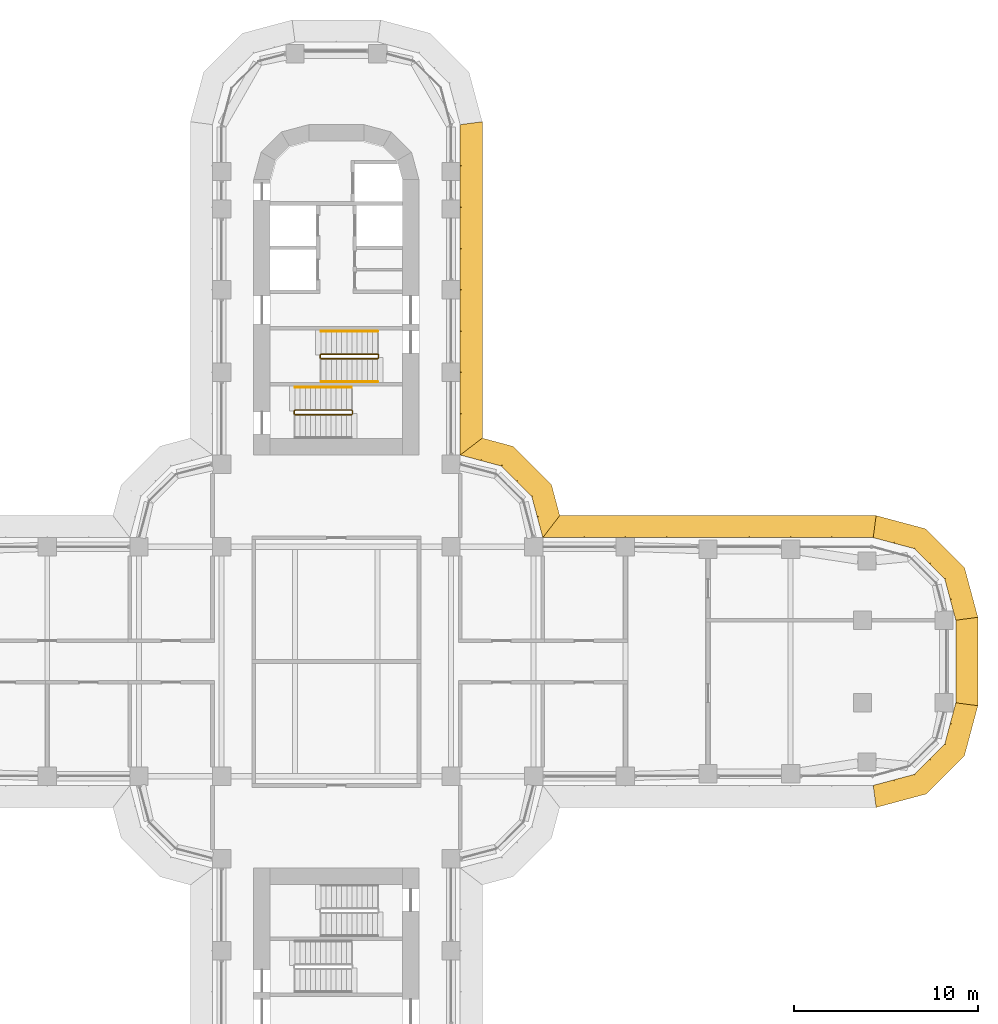
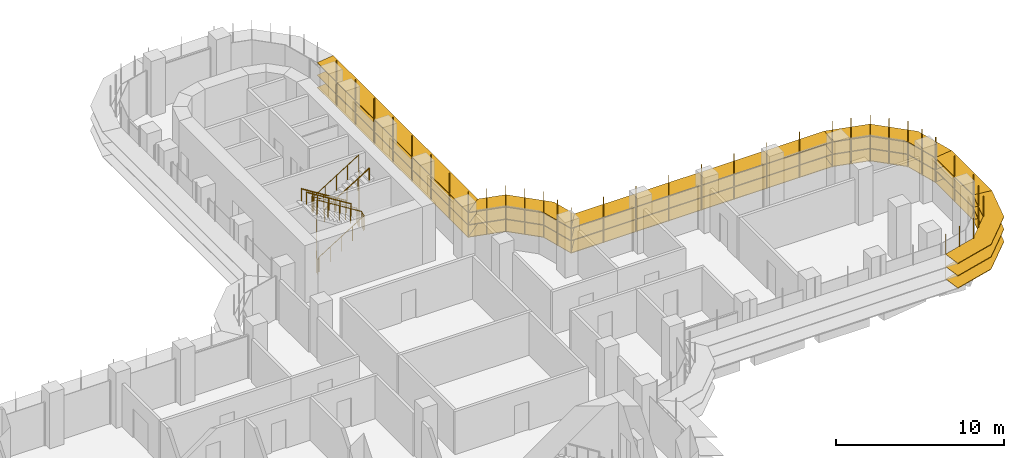
# One storey, part 22 of 23: 6 shading devices, 5 railings.
"""IFC4 building model written with IfcOpenShell, lengths in metres."""

import ifcopenshell
import ifcopenshell.guid

model = None  # the IFC model being written
_history = None  # IfcOwnerHistory: only IFC2X3 demands one
_inside = {}  # id of a spatial element -> (the spatial element, [elements in it])
_under = {}  # id of a project, library or spatial element -> (it, [spatial elements below it])
_declared = {}  # id of a project -> (the project, [libraries it declares])
_typed = {}  # id of a type object -> (the type object, [elements of that type])
_made_of = {}  # id of a material, layer set ... -> (it, [elements and type objects made of it])


def new_model(schema):
    """Start an empty IFC model of exactly this schema.

    Asked for "IFC4X3", IfcOpenShell would pick the latest addendum, in which some entities
    have other attributes; the version numbers below select the first issue.
    IFC2X3 requires an IfcOwnerHistory on every rooted entity: one is made here for all.
    """
    global model, _history
    if schema == "IFC4X3":
        model = ifcopenshell.file(schema_version=(4, 3, 0, 0))
    else:
        model = ifcopenshell.file(schema=schema)
    _inside.clear()
    _under.clear()
    _declared.clear()
    _typed.clear()
    _made_of.clear()
    _history = None
    if model.schema == "IFC2X3":
        org = make("IfcOrganization", Name="unknown")
        user = make(
            "IfcPersonAndOrganization",
            ThePerson=make("IfcPerson", FamilyName="unknown"),
            TheOrganization=org,
        )
        app = make(
            "IfcApplication",
            ApplicationDeveloper=org,
            Version="unknown",
            ApplicationFullName="unknown",
            ApplicationIdentifier="unknown",
        )
        _history = make(
            "IfcOwnerHistory",
            OwningUser=user,
            OwningApplication=app,
            ChangeAction="ADDED",
            CreationDate=0,
        )
    return model


def make(cls, **values):
    """One entity of the class cls with the attributes given. An attribute that is None is left unset."""
    return model.create_entity(
        cls, **{name: value for name, value in values.items() if value is not None}
    )


def rooted(cls, **values):
    """An entity with a GlobalId (a new one), such as an element, a storey or a relation."""
    return make(cls, GlobalId=ifcopenshell.guid.new(), OwnerHistory=_history, **values)


def si_unit(unit_type, name, prefix=None):
    """IfcSIUnit, for example si_unit("LENGTHUNIT", "METRE", prefix="MILLI")."""
    return make("IfcSIUnit", UnitType=unit_type, Prefix=prefix, Name=name)


def assignment(units):
    """IfcUnitAssignment: the units of a project."""
    return None if units is None else make("IfcUnitAssignment", Units=units)


def point(xyz):
    """IfcCartesianPoint."""
    return None if xyz is None else make("IfcCartesianPoint", Coordinates=xyz)


def direction(xyz):
    """IfcDirection."""
    return None if xyz is None else make("IfcDirection", DirectionRatios=xyz)


def frame(location, z_axis=None, x_axis=None):
    """IfcAxis2Placement3D, a coordinate frame: its origin and axes. An axis left out is left unset."""
    return make(
        "IfcAxis2Placement3D",
        Location=point(location),
        Axis=direction(z_axis),
        RefDirection=direction(x_axis),
    )


def frame_2d(location, x_axis=None):
    """IfcAxis2Placement2D, a coordinate frame in the plane: its origin and x axis."""
    return make(
        "IfcAxis2Placement2D", Location=point(location), RefDirection=direction(x_axis)
    )


def origin():
    """The frame at (0, 0, 0) with its axes left unset."""
    return frame((0.0, 0.0, 0.0))


def origin_2d():
    """The frame at (0, 0) in the plane with its x axis left unset."""
    return frame_2d((0.0, 0.0))


def place(relative_to, where):
    """IfcLocalPlacement: puts the frame where relative to a parent placement (None: the world)."""
    return make(
        "IfcLocalPlacement", PlacementRelTo=relative_to, RelativePlacement=where
    )


def context(
    kind, dimensions, precision=None, world=None, true_north=None, identifier=None
):
    """IfcGeometricRepresentationContext, for example the 3D "Model" context."""
    return make(
        "IfcGeometricRepresentationContext",
        ContextIdentifier=identifier,
        ContextType=kind,
        CoordinateSpaceDimension=dimensions,
        Precision=precision,
        WorldCoordinateSystem=world,
        TrueNorth=true_north,
    )


def subcontext(parent, identifier, kind, view, scale=None):
    """IfcGeometricRepresentationSubContext, for example "Body" below "Model"."""
    return make(
        "IfcGeometricRepresentationSubContext",
        ContextIdentifier=identifier,
        ContextType=kind,
        ParentContext=parent,
        TargetScale=scale,
        TargetView=view,
    )


def project(units=None, contexts=None):
    """IfcProject with its units and contexts."""
    return rooted(
        "IfcProject",
        Name="project",
        RepresentationContexts=contexts,
        UnitsInContext=assignment(units),
    )


def spatial(cls, under=None, at=None, **own):
    """A site, building, storey or space (cls), placed at a placement, below another one or the project."""
    s = rooted(cls, ObjectPlacement=at, **own)
    if under is not None:
        _under.setdefault(under.id(), (under, []))[1].append(s)
    return s


def polyline(points):
    """IfcPolyline through the points."""
    return make("IfcPolyline", Points=[point(p) for p in points])


def profile(cls, at=None, kind="AREA", **sizes):
    """A parametric profile (cls). Its sizes go by their IFC names, for example OverallWidth=200.0."""
    return make(cls, ProfileType=kind, Position=at, **sizes)


def circle(**sizes):
    """IfcCircleProfileDef."""
    return profile("IfcCircleProfileDef", **sizes)


def outline(outer, holes=None, kind="AREA"):
    """IfcArbitraryClosedProfileDef: a profile drawn as a closed curve; with holes, ...WithVoids."""
    if holes is None:
        return make("IfcArbitraryClosedProfileDef", ProfileType=kind, OuterCurve=outer)
    return make(
        "IfcArbitraryProfileDefWithVoids",
        ProfileType=kind,
        OuterCurve=outer,
        InnerCurves=holes,
    )


def extrude(swept, where, along, depth):
    """IfcExtrudedAreaSolid: the profile swept, set in the frame where, extruded along a direction by depth."""
    return make(
        "IfcExtrudedAreaSolid",
        SweptArea=swept,
        Position=where,
        ExtrudedDirection=direction(along),
        Depth=depth,
    )


def faces_of(points, faces, orient=None, outer=None):
    """IfcFace entities. A face is a list of loops; a loop is a list of indices into points, from 0.

    orient and outer hold one flag for each loop. By default every Orientation is true, the
    first loop of a face is its IfcFaceOuterBound and the others are IfcFaceBound.
    """
    made = []
    for i, loops in enumerate(faces):
        bounds = []
        for j, loop in enumerate(loops):
            is_outer = j == 0 if outer is None else outer[i][j]
            bounds.append(
                make(
                    "IfcFaceOuterBound" if is_outer else "IfcFaceBound",
                    Bound=make("IfcPolyLoop", Polygon=[points[k] for k in loop]),
                    Orientation=True if orient is None else orient[i][j],
                )
            )
        made.append(make("IfcFace", Bounds=bounds))
    return made


def faceted_brep(points, faces, orient=None, outer=None, voids=None):
    """IfcFacetedBrep: a solid bounded by flat faces; with voids (closed shells), ...WithVoids."""
    shared = [point(p) for p in points]
    hull = make("IfcClosedShell", CfsFaces=faces_of(shared, faces, orient, outer))
    if voids is None:
        return make("IfcFacetedBrep", Outer=hull)
    return make(
        "IfcFacetedBrepWithVoids",
        Outer=hull,
        Voids=[
            make(cls, CfsFaces=faces_of(shared, fs, o, b)) for cls, fs, o, b in voids
        ],
    )


def shape(context_of_items, identifier, shape_type, items):
    """IfcShapeRepresentation: the items that make up one representation, for example the "Body"."""
    return make(
        "IfcShapeRepresentation",
        ContextOfItems=context_of_items,
        RepresentationIdentifier=identifier,
        RepresentationType=shape_type,
        Items=items,
    )


def source(mapping_origin, context_of_items, identifier, shape_type, items):
    """IfcRepresentationMap: a shape defined once, which mapped items show again and again."""
    return make(
        "IfcRepresentationMap",
        MappingOrigin=mapping_origin,
        MappedRepresentation=shape(context_of_items, identifier, shape_type, items),
    )


def transform(
    local_origin,
    x_axis=None,
    y_axis=None,
    z_axis=None,
    scale=None,
    scale2=None,
    scale3=None,
    uniform=True,
):
    """IfcCartesianTransformationOperator3D, or its non-uniform kind. x_axis, y_axis, z_axis: its Axis1, 2, 3."""
    if uniform:
        return make(
            "IfcCartesianTransformationOperator3D",
            Axis1=direction(x_axis),
            Axis2=direction(y_axis),
            LocalOrigin=point(local_origin),
            Scale=scale,
            Axis3=direction(z_axis),
        )
    return make(
        "IfcCartesianTransformationOperator3DnonUniform",
        Axis1=direction(x_axis),
        Axis2=direction(y_axis),
        LocalOrigin=point(local_origin),
        Scale=scale,
        Axis3=direction(z_axis),
        Scale2=scale2,
        Scale3=scale3,
    )


def mapped(mapping_source, mapping_target):
    """IfcMappedItem: shows the shape of a source again, moved by a transform."""
    return make(
        "IfcMappedItem", MappingSource=mapping_source, MappingTarget=mapping_target
    )


def material(Name=None, Category=None):
    """IfcMaterial."""
    return make("IfcMaterial", Name=Name, Category=Category)


def made_of(thing, what):
    """Note that an element or type object is made of a material, layer set ...; save() writes the relation."""
    if what is not None:
        _made_of.setdefault(what.id(), (what, []))[1].append(thing)
    return thing


def type_object(cls, material=None, **own):
    """A type object (cls), such as IfcWallType, which elements share."""
    return made_of(rooted(cls, **own), material)


def element(
    cls,
    number,
    at=None,
    inside=None,
    cuts=None,
    type_object=None,
    material=None,
    context=None,
    identifier="Body",
    shape_type=None,
    held_by="IfcProductDefinitionShape",
    body=None,
    shapes=None,
    **own,
):
    """One element of the class cls, such as IfcWall. Its Tag is "e" and its number.

    at: its placement. inside: the storey or other place that contains it. cuts: it is an
    opening in that element (IfcRelVoidsElement). A single representation is given by context,
    identifier, shape_type and body (its items); several are given by shapes. held_by: the class
    of the entity that holds the representations. save() writes the other relations.
    """
    e = rooted(cls, Tag="e%d" % number, ObjectPlacement=at, **own)
    if body is not None:
        shapes = [shape(context, identifier, shape_type, body)]
    if shapes is not None:
        e.Representation = make(held_by, Representations=shapes)
    if inside is not None:
        _inside.setdefault(inside.id(), (inside, []))[1].append(e)
    if cuts is not None:
        rooted(
            "IfcRelVoidsElement", RelatingBuildingElement=cuts, RelatedOpeningElement=e
        )
    if type_object is not None:
        _typed.setdefault(type_object.id(), (type_object, []))[1].append(e)
    return made_of(e, material)


def aggregate(whole, parts):
    """IfcRelAggregates: a whole, such as a stair, and the parts it consists of."""
    return rooted("IfcRelAggregates", RelatingObject=whole, RelatedObjects=parts)


def save(model, path):
    """Write the relations noted so far, then the file.

    IfcRelAggregates (storeys below a building ...), IfcRelContainedInSpatialStructure (elements
    in a storey), IfcRelDefinesByType, IfcRelAssociatesMaterial and IfcRelDeclares: one each for
    every whole, place, type object, material and project.
    """
    for whole, parts in _under.values():
        aggregate(whole, parts)
    for where, things in _inside.values():
        rooted(
            "IfcRelContainedInSpatialStructure",
            RelatedElements=things,
            RelatingStructure=where,
        )
    for kind, things in _typed.values():
        rooted("IfcRelDefinesByType", RelatedObjects=things, RelatingType=kind)
    for what, things in _made_of.values():
        rooted("IfcRelAssociatesMaterial", RelatedObjects=things, RelatingMaterial=what)
    for by, libraries in _declared.values():
        rooted("IfcRelDeclares", RelatingContext=by, RelatedDefinitions=libraries)
    model.write(path)


model = new_model("IFC4")

# Units and contexts
model_context = context("Model", 3, precision=1e-05, world=origin(), true_north=direction((0.0, 1.0)))
body_context = subcontext(model_context, "Body", "Model", "MODEL_VIEW")
ifc_project = project(units=[si_unit("LENGTHUNIT", "METRE"), si_unit("AREAUNIT", "SQUARE_METRE"), si_unit("VOLUMEUNIT", "CUBIC_METRE"), si_unit("PLANEANGLEUNIT", "RADIAN"), si_unit("MASSUNIT", "GRAM", prefix="KILO")], contexts=[model_context])

# Site, building, storey
site_placement = place(None, origin())
site = spatial("IfcSite", under=ifc_project, at=site_placement, CompositionType="ELEMENT")
building_placement = place(site_placement, origin())
building = spatial("IfcBuilding", under=site, at=building_placement, Name="Zarbagh Exchange Tower", CompositionType="ELEMENT")
storey_placement = place(building_placement, frame((0.0, 0.0, 52.199951171875)))
storey = spatial("IfcBuildingStorey", under=building, at=storey_placement, Name="L11", CompositionType="ELEMENT", Elevation=52.199951171875)

# Railings
ifc_material_1 = material(Name="Stainless steel", Category="steel")
railing_type_1 = type_object("IfcRailingType", Name="Stair guard 1100 mm", PredefinedType="GUARDRAIL", material=ifc_material_1)
railing_1_placement = place(storey_placement, frame((-0.830078125, 16.5, 2.275146484375)))
element("IfcRailing", 1, at=railing_1_placement, inside=storey, type_object=railing_type_1, Name="ST1 stair guard 1", PredefinedType="GUARDRAIL", context=body_context, shape_type="SweptSolid", body=[
    extrude(circle(Radius=0.02392578125, at=origin_2d()), frame((0.0, 0.0, 1.076171875), z_axis=(0.848028513186, 0.0, 0.529950602248), x_axis=(0.0, 1.0, 0.0)), (0.0, 0.0, 1.0), 3.632080078125),
    extrude(circle(Radius=0.02392578125, at=origin_2d()), frame((3.080078125, 0.0, 3.0009765625), z_axis=(0.011914834358, 0.011914834358, -0.999858026644), x_axis=(-0.707106781187, 0.707106781187, 0.0)), (0.0, 0.0, 1.0), 4.200439453125),
    extrude(circle(Radius=0.02392578125, at=origin_2d()), frame((3.130126953125, 0.050048828125, -1.19921875), z_axis=(0.0, 1.0, 0.0), x_axis=(-1.0, 0.0, 0.0)), (0.0, 0.0, 1.0), 0.14990234375),
    extrude(circle(Radius=0.02392578125, at=origin_2d()), frame((3.130126953125, 0.199951171875, -1.19921875), z_axis=(-0.265065253269, 0.265065253269, 0.927081885822), x_axis=(-0.707106781187, -0.707106781187, 0.0)), (0.0, 0.0, 1.0), 0.188720703125),
    extrude(circle(Radius=0.02392578125, at=origin_2d()), frame((3.080078125, 0.25, -1.02392578125), z_axis=(-0.847998304005, 0.0, 0.529998940003), x_axis=(0.0, -1.0, 0.0)), (0.0, 0.0, 1.0), 3.632080078125),
    extrude(circle(Radius=0.02392578125, at=origin_2d()), frame((0.0, 0.25, 0.90087890625), z_axis=(-0.705375805398, -0.708833529934, 0.0), x_axis=(0.708833529934, -0.705375805398, 0.0)), (0.0, 0.0, 1.0), 0.070556640625),
    extrude(circle(Radius=0.02392578125, at=origin_2d()), frame((-0.0498046875, 0.199951171875, 0.90087890625), z_axis=(0.0, -1.0, 0.0), x_axis=(1.0, 0.0, 0.0)), (0.0, 0.0, 1.0), 0.14990234375),
    extrude(circle(Radius=0.02099609375, at=origin_2d()), origin(), (0.0, 0.0, 1.0), 1.052001953125),
    extrude(circle(Radius=0.02099609375, at=origin_2d()), frame((0.77001953125, 0.0, 0.481201171875)), (0.0, 0.0, 1.0), 1.052001953125),
    extrude(circle(Radius=0.02099609375, at=origin_2d()), frame((1.5400390625, 0.0, 0.96240234375)), (0.0, 0.0, 1.0), 1.052001953125),
    extrude(circle(Radius=0.02099609375, at=origin_2d()), frame((2.31005859375, 0.0, 1.443603515625)), (0.0, 0.0, 1.0), 1.052001953125),
    extrude(circle(Radius=0.02099609375, at=origin_2d()), frame((3.080078125, 0.0, 1.9248046875)), (0.0, 0.0, 1.0), 1.052001953125),
    extrude(circle(Radius=0.02099609375, at=origin_2d()), frame((3.092529296875, 0.012451171875, 0.874755859375)), (0.0, 0.0, 1.0), 1.052001953125),
    extrude(circle(Radius=0.02099609375, at=origin_2d()), frame((3.10498046875, 0.02490234375, -0.17529296875)), (0.0, 0.0, 1.0), 1.052001953125),
    extrude(circle(Radius=0.02099609375, at=origin_2d()), frame((3.11767578125, 0.03759765625, -1.22509765625)), (0.0, 0.0, 1.0), 1.052001953125),
    extrude(circle(Radius=0.02099609375, at=origin_2d()), frame((3.130126953125, 0.050048828125, -2.275146484375)), (0.0, 0.0, 1.0), 1.052001953125),
    extrude(circle(Radius=0.02099609375, at=origin_2d()), frame((3.130126953125, 0.199951171875, -2.275146484375)), (0.0, 0.0, 1.0), 1.052001953125),
    extrude(circle(Radius=0.02099609375, at=origin_2d()), frame((3.080078125, 0.25, -2.10009765625)), (0.0, 0.0, 1.0), 1.052001953125),
    extrude(circle(Radius=0.02099609375, at=origin_2d()), frame((2.31005859375, 0.25, -1.618896484375)), (0.0, 0.0, 1.0), 1.052001953125),
    extrude(circle(Radius=0.02099609375, at=origin_2d()), frame((1.5400390625, 0.25, -1.1376953125)), (0.0, 0.0, 1.0), 1.052001953125),
    extrude(circle(Radius=0.02099609375, at=origin_2d()), frame((0.77001953125, 0.25, -0.65625)), (0.0, 0.0, 1.0), 1.052001953125),
    extrude(circle(Radius=0.02099609375, at=origin_2d()), frame((0.0, 0.25, -0.175048828125)), (0.0, 0.0, 1.0), 1.052001953125),
    extrude(circle(Radius=0.02099609375, at=origin_2d()), frame((-0.0498046875, 0.199951171875, -0.175048828125)), (0.0, 0.0, 1.0), 1.052001953125),
    extrude(circle(Radius=0.02099609375, at=origin_2d()), frame((-0.0498046875, 0.050048828125, -0.175048828125)), (0.0, 0.0, 1.0), 1.052001953125),
])
railing_2_placement = place(storey_placement, frame((0.8798828125, 13.5, 2.10009765625)))
element("IfcRailing", 2, at=railing_2_placement, inside=storey, type_object=railing_type_1, Name="ST2 stair guard 1", PredefinedType="GUARDRAIL", context=body_context, shape_type="SweptSolid", body=[
    extrude(circle(Radius=0.02392578125, at=origin_2d()), frame((0.0, 0.0, 1.076171875), z_axis=(0.0, 1.0, 0.0), x_axis=(-1.0, 0.0, 0.0)), (0.0, 0.0, 1.0), 0.14990234375),
    extrude(circle(Radius=0.02392578125, at=origin_2d()), frame((0.0, 0.14990234375, 1.076171875), z_axis=(-0.263862480399, 0.265155923931, 0.927399011991), x_axis=(-0.708833529934, -0.705375805398, 0.0)), (0.0, 0.0, 1.0), 0.188720703125),
    extrude(circle(Radius=0.02392578125, at=origin_2d()), frame((-0.0498046875, 0.199951171875, 1.2509765625), z_axis=(-0.848028513186, 0.0, 0.529950602248), x_axis=(0.0, -1.0, 0.0)), (0.0, 0.0, 1.0), 3.632080078125),
    extrude(circle(Radius=0.02392578125, at=origin_2d()), frame((-3.1298828125, 0.199951171875, 3.17578125), z_axis=(-0.011914834358, -0.011914834358, -0.999858026644), x_axis=(0.707106781187, -0.707106781187, 0.0)), (0.0, 0.0, 1.0), 4.200439453125),
    extrude(circle(Radius=0.02392578125, at=origin_2d()), frame((-3.179931640625, 0.14990234375, -1.02392578125), z_axis=(0.0, -1.0, 0.0), x_axis=(1.0, 0.0, 0.0)), (0.0, 0.0, 1.0), 0.14990234375),
    extrude(circle(Radius=0.02392578125, at=origin_2d()), frame((-3.179931640625, 0.0, -1.02392578125), z_axis=(0.265065253269, -0.265065253269, 0.927081885822), x_axis=(0.707106781187, 0.707106781187, 0.0)), (0.0, 0.0, 1.0), 0.188720703125),
    extrude(circle(Radius=0.02392578125, at=origin_2d()), frame((-3.1298828125, -0.050048828125, -0.84912109375), z_axis=(0.847998304005, 0.0, 0.529998940003), x_axis=(0.0, 1.0, 0.0)), (0.0, 0.0, 1.0), 3.632080078125),
    extrude(circle(Radius=0.02099609375, at=origin_2d()), origin(), (0.0, 0.0, 1.0), 1.052001953125),
    extrude(circle(Radius=0.02099609375, at=origin_2d()), frame((0.0, 0.14990234375, 0.0)), (0.0, 0.0, 1.0), 1.052001953125),
    extrude(circle(Radius=0.02099609375, at=origin_2d()), frame((-0.0498046875, 0.199951171875, 0.175048828125)), (0.0, 0.0, 1.0), 1.052001953125),
    extrude(circle(Radius=0.02099609375, at=origin_2d()), frame((-0.81982421875, 0.199951171875, 0.65625)), (0.0, 0.0, 1.0), 1.052001953125),
    extrude(circle(Radius=0.02099609375, at=origin_2d()), frame((-1.58984375, 0.199951171875, 1.137451171875)), (0.0, 0.0, 1.0), 1.052001953125),
    extrude(circle(Radius=0.02099609375, at=origin_2d()), frame((-2.35986328125, 0.199951171875, 1.61865234375)), (0.0, 0.0, 1.0), 1.052001953125),
    extrude(circle(Radius=0.02099609375, at=origin_2d()), frame((-3.1298828125, 0.199951171875, 2.099853515625)), (0.0, 0.0, 1.0), 1.052001953125),
    extrude(circle(Radius=0.02099609375, at=origin_2d()), frame((-3.142333984375, 0.1875, 1.0498046875)), (0.0, 0.0, 1.0), 1.052001953125),
    extrude(circle(Radius=0.02099609375, at=origin_2d()), frame((-3.15478515625, 0.1748046875, 0.0)), (0.0, 0.0, 1.0), 1.052001953125),
    extrude(circle(Radius=0.02099609375, at=origin_2d()), frame((-3.16748046875, 0.162353515625, -1.050048828125)), (0.0, 0.0, 1.0), 1.052001953125),
    extrude(circle(Radius=0.02099609375, at=origin_2d()), frame((-3.179931640625, 0.14990234375, -2.10009765625)), (0.0, 0.0, 1.0), 1.052001953125),
    extrude(circle(Radius=0.02099609375, at=origin_2d()), frame((-3.179931640625, 0.0, -2.10009765625)), (0.0, 0.0, 1.0), 1.052001953125),
    extrude(circle(Radius=0.02099609375, at=origin_2d()), frame((-3.1298828125, -0.050048828125, -1.925048828125)), (0.0, 0.0, 1.0), 1.052001953125),
    extrude(circle(Radius=0.02099609375, at=origin_2d()), frame((-2.35986328125, -0.050048828125, -1.44384765625)), (0.0, 0.0, 1.0), 1.052001953125),
    extrude(circle(Radius=0.02099609375, at=origin_2d()), frame((-1.58984375, -0.050048828125, -0.96240234375)), (0.0, 0.0, 1.0), 1.052001953125),
    extrude(circle(Radius=0.02099609375, at=origin_2d()), frame((-0.81982421875, -0.050048828125, -0.481201171875)), (0.0, 0.0, 1.0), 1.052001953125),
    extrude(circle(Radius=0.02099609375, at=origin_2d()), frame((-0.0498046875, -0.050048828125, 0.0)), (0.0, 0.0, 1.0), 1.052001953125),
])
railing_type_2 = type_object("IfcRailingType", Name="Stair handrail 900 mm", PredefinedType="HANDRAIL", material=ifc_material_1)
railing_3_placement = place(storey_placement, frame((2.25, 18.0, 0.175048828125)))
element("IfcRailing", 3, at=railing_3_placement, inside=storey, type_object=railing_type_2, Name="ST1 stair handrail 1", PredefinedType="HANDRAIL", context=body_context, shape_type="SweptSolid", body=[
    extrude(circle(Radius=0.02392578125, at=origin_2d()), frame((0.0, 0.0, 0.8759765625), z_axis=(-0.847998304005, 0.0, 0.529998940003), x_axis=(0.0, -1.0, 0.0)), (0.0, 0.0, 1.0), 3.632080078125),
    extrude(circle(Radius=0.02099609375, at=origin_2d()), origin(), (0.0, 0.0, 1.0), 0.851806640625),
    extrude(circle(Radius=0.02099609375, at=origin_2d()), frame((-0.77001953125, 0.0, 0.481201171875)), (0.0, 0.0, 1.0), 0.851806640625),
    extrude(circle(Radius=0.02099609375, at=origin_2d()), frame((-1.5400390625, 0.0, 0.96240234375)), (0.0, 0.0, 1.0), 0.851806640625),
    extrude(circle(Radius=0.02099609375, at=origin_2d()), frame((-2.31005859375, 0.0, 1.44384765625)), (0.0, 0.0, 1.0), 0.851806640625),
    extrude(circle(Radius=0.02099609375, at=origin_2d()), frame((-3.080078125, 0.0, 1.925048828125)), (0.0, 0.0, 1.0), 0.851806640625),
])
railing_4_placement = place(storey_placement, frame((-0.830078125, 15.25, 2.275146484375)))
element("IfcRailing", 4, at=railing_4_placement, inside=storey, type_object=railing_type_2, Name="ST1 stair handrail 2", PredefinedType="HANDRAIL", context=body_context, shape_type="SweptSolid", body=[
    extrude(circle(Radius=0.02392578125, at=origin_2d()), frame((0.0, 0.0, 0.8759765625), z_axis=(0.848028513186, 0.0, 0.529950602248), x_axis=(0.0, 1.0, 0.0)), (0.0, 0.0, 1.0), 3.632080078125),
    extrude(circle(Radius=0.02099609375, at=origin_2d()), origin(), (0.0, 0.0, 1.0), 0.851806640625),
    extrude(circle(Radius=0.02099609375, at=origin_2d()), frame((0.77001953125, 0.0, 0.481201171875)), (0.0, 0.0, 1.0), 0.851806640625),
    extrude(circle(Radius=0.02099609375, at=origin_2d()), frame((1.5400390625, 0.0, 0.96240234375)), (0.0, 0.0, 1.0), 0.851806640625),
    extrude(circle(Radius=0.02099609375, at=origin_2d()), frame((2.31005859375, 0.0, 1.443603515625)), (0.0, 0.0, 1.0), 0.851806640625),
    extrude(circle(Radius=0.02099609375, at=origin_2d()), frame((3.080078125, 0.0, 1.9248046875)), (0.0, 0.0, 1.0), 0.851806640625),
])
railing_5_placement = place(storey_placement, frame((0.830078125, 14.949951171875, 2.275146484375)))
element("IfcRailing", 5, at=railing_5_placement, inside=storey, type_object=railing_type_2, Name="ST2 stair handrail 2", PredefinedType="HANDRAIL", context=body_context, shape_type="SweptSolid", body=[
    extrude(circle(Radius=0.02392578125, at=origin_2d()), frame((0.0, 0.0, 0.8759765625), z_axis=(-0.848028513186, 0.0, 0.529950602248), x_axis=(0.0, -1.0, 0.0)), (0.0, 0.0, 1.0), 3.632080078125),
    extrude(circle(Radius=0.02099609375, at=origin_2d()), origin(), (0.0, 0.0, 1.0), 0.851806640625),
    extrude(circle(Radius=0.02099609375, at=origin_2d()), frame((-0.77001953125, 0.0, 0.481201171875)), (0.0, 0.0, 1.0), 0.851806640625),
    extrude(circle(Radius=0.02099609375, at=origin_2d()), frame((-1.5400390625, 0.0, 0.96240234375)), (0.0, 0.0, 1.0), 0.851806640625),
    extrude(circle(Radius=0.02099609375, at=origin_2d()), frame((-2.31005859375, 0.0, 1.443603515625)), (0.0, 0.0, 1.0), 0.851806640625),
    extrude(circle(Radius=0.02099609375, at=origin_2d()), frame((-3.080078125, 0.0, 1.9248046875)), (0.0, 0.0, 1.0), 0.851806640625),
])

# Shading devices
ifc_material_2 = material(Name="Anodised aluminium blades and brackets", Category="aluminium")
shading_device_type = type_object("IfcShadingDeviceType", Name="SUNSHADE louvre band, 0 degree blades", PredefinedType="JALOUSIE", material=ifc_material_2)
shared_shape_1 = source(origin(), body_context, "Body", "Brep", [
    faceted_brep([(0.0, 0.0, 0.0), (0.0, 0.0, -0.0400390625), (-0.157958984375, -1.199951171875, -0.0400390625), (-0.157958984375, -1.199951171875, 0.0), (2.65087890625, -1.199951171875, 0.0), (2.65087890625, -1.199951171875, -0.0400390625), (2.329345703125, 0.0, -0.0400390625), (2.329345703125, 0.0, 0.0)], [[[0, 1, 2, 3]], [[4, 5, 6, 7]], [[0, 7, 6, 1]], [[1, 6, 5, 2]], [[2, 5, 4, 3]], [[3, 4, 7, 0]]]),
])
shared_shape_2 = source(origin(), body_context, "Body", "Brep", [
    faceted_brep([(0.0, 0.0, 0.0), (0.0, 0.0, -0.0400390625), (-0.321533203125, -1.199951171875, -0.0400390625), (-0.321533203125, -1.199951171875, 0.0), (2.65087890625, -1.199951171875, 0.0), (2.65087890625, -1.199951171875, -0.0400390625), (2.329345703125, 0.0, -0.0400390625), (2.329345703125, 0.0, 0.0)], [[[0, 1, 2, 3]], [[4, 5, 6, 7]], [[0, 7, 6, 1]], [[1, 6, 5, 2]], [[2, 5, 4, 3]], [[3, 4, 7, 0]]]),
])
shared_shape_3 = source(origin(), body_context, "Body", "Brep", [
    faceted_brep([(0.0, 0.0, 0.0), (0.0, 0.0, -0.0400390625), (-0.321533203125, -1.199951171875, -0.0400390625), (-0.321533203125, -1.199951171875, 0.0), (2.4873046875, -1.199951171875, 0.0), (2.4873046875, -1.199951171875, -0.0400390625), (2.329345703125, 0.0, -0.0400390625), (2.329345703125, 0.0, 0.0)], [[[0, 1, 2, 3]], [[4, 5, 6, 7]], [[0, 7, 6, 1]], [[1, 6, 5, 2]], [[2, 5, 4, 3]], [[3, 4, 7, 0]]]),
])
shared_shape_4 = source(origin(), body_context, "Body", "SweptSolid", [
    extrude(outline(polyline([(0.0, -0.012451171875), (0.06005859375, -0.012451171875), (0.06005859375, 0.012451171875), (0.0, 0.012451171875), (0.0, -0.012451171875)])), origin(), (0.0, 0.0, 1.0), 3.35009765625),
])
placement = place(storey_placement, origin())
element("IfcShadingDevice", 6, at=placement, inside=storey, type_object=shading_device_type, Name="SS05 sunshade band", PredefinedType="JALOUSIE", context=body_context, shape_type="MappedRepresentation", body=[
    mapped(shared_shape_1, transform((29.25, -6.75, 2.699951171875), x_axis=(0.965924289636, 0.258824779902, 0.0), y_axis=(-0.258824779902, 0.965924289636, 0.0), z_axis=(0.0, 0.0, 1.0))),
    mapped(shared_shape_1, transform((29.25, -6.75, 1.800048828125), x_axis=(0.965924289636, 0.258824779902, 0.0), y_axis=(-0.258824779902, 0.965924289636, 0.0), z_axis=(0.0, 0.0, 1.0))),
    mapped(shared_shape_1, transform((29.25, -6.75, 0.900146484375), x_axis=(0.965924289636, 0.258824779902, 0.0), y_axis=(-0.258824779902, 0.965924289636, 0.0), z_axis=(0.0, 0.0, 1.0))),
    mapped(shared_shape_2, transform((31.5, -6.147216796875, 2.699951171875), x_axis=(0.707106781187, 0.707106781187, 0.0), y_axis=(-0.707106781187, 0.707106781187, 0.0), z_axis=(0.0, 0.0, 1.0))),
    mapped(shared_shape_2, transform((31.5, -6.147216796875, 1.800048828125), x_axis=(0.707106781187, 0.707106781187, 0.0), y_axis=(-0.707106781187, 0.707106781187, 0.0), z_axis=(0.0, 0.0, 1.0))),
    mapped(shared_shape_2, transform((31.5, -6.147216796875, 0.900146484375), x_axis=(0.707106781187, 0.707106781187, 0.0), y_axis=(-0.707106781187, 0.707106781187, 0.0), z_axis=(0.0, 0.0, 1.0))),
    mapped(shared_shape_3, transform((33.147216796875, -4.5, 2.699951171875), x_axis=(0.258824779902, 0.965924289636, 0.0), y_axis=(-0.965924289636, 0.258824779902, 0.0), z_axis=(0.0, 0.0, 1.0))),
    mapped(shared_shape_3, transform((33.147216796875, -4.5, 1.800048828125), x_axis=(0.258824779902, 0.965924289636, 0.0), y_axis=(-0.965924289636, 0.258824779902, 0.0), z_axis=(0.0, 0.0, 1.0))),
    mapped(shared_shape_3, transform((33.147216796875, -4.5, 0.900146484375), x_axis=(0.258824779902, 0.965924289636, 0.0), y_axis=(-0.965924289636, 0.258824779902, 0.0), z_axis=(0.0, 0.0, 1.0))),
    mapped(shared_shape_4, transform((29.25, -6.75, 0.830078125), x_axis=(0.130529263012, -0.991444457092, 0.0), y_axis=(0.991444457092, 0.130529263012, 0.0), z_axis=(0.0, 0.0, 1.0))),
    mapped(shared_shape_4, transform((30.375, -6.448486328125, 0.830078125), x_axis=(0.258825058029, -0.96592421511, 0.0), y_axis=(0.96592421511, 0.258825058029, 0.0), z_axis=(0.0, 0.0, 1.0))),
    mapped(shared_shape_4, transform((31.5, -6.147216796875, 0.830078125), x_axis=(0.50000275701, -0.866023812018, 0.0), y_axis=(0.866023812018, 0.50000275701, 0.0), z_axis=(0.0, 0.0, 1.0))),
    mapped(shared_shape_4, transform((32.323486328125, -5.323486328125, 0.830078125), x_axis=(0.707106781187, -0.707106781187, 0.0), y_axis=(0.707106781187, 0.707106781187, 0.0), z_axis=(0.0, 0.0, 1.0))),
    mapped(shared_shape_4, transform((33.147216796875, -4.5, 0.830078125), x_axis=(0.866023812018, -0.50000275701, 0.0), y_axis=(0.50000275701, 0.866023812018, 0.0), z_axis=(0.0, 0.0, 1.0))),
    mapped(shared_shape_4, transform((33.448486328125, -3.375, 0.830078125), x_axis=(0.96592421511, -0.258825058029, 0.0), y_axis=(0.258825058029, 0.96592421511, 0.0), z_axis=(0.0, 0.0, 1.0))),
])
element("IfcShadingDevice", 7, at=placement, inside=storey, type_object=shading_device_type, Name="SS07 sunshade band", PredefinedType="JALOUSIE", context=body_context, shape_type="MappedRepresentation", body=[
    mapped(shared_shape_1, transform((33.75, 2.25, 2.699951171875), x_axis=(-0.258824779902, 0.965924289636, 0.0), y_axis=(-0.965924289636, -0.258824779902, 0.0), z_axis=(0.0, 0.0, 1.0))),
    mapped(shared_shape_1, transform((33.75, 2.25, 1.800048828125), x_axis=(-0.258824779902, 0.965924289636, 0.0), y_axis=(-0.965924289636, -0.258824779902, 0.0), z_axis=(0.0, 0.0, 1.0))),
    mapped(shared_shape_1, transform((33.75, 2.25, 0.900146484375), x_axis=(-0.258824779902, 0.965924289636, 0.0), y_axis=(-0.965924289636, -0.258824779902, 0.0), z_axis=(0.0, 0.0, 1.0))),
    mapped(shared_shape_2, transform((33.147216796875, 4.5, 2.699951171875), x_axis=(-0.707106781187, 0.707106781187, 0.0), y_axis=(-0.707106781187, -0.707106781187, 0.0), z_axis=(0.0, 0.0, 1.0))),
    mapped(shared_shape_2, transform((33.147216796875, 4.5, 1.800048828125), x_axis=(-0.707106781187, 0.707106781187, 0.0), y_axis=(-0.707106781187, -0.707106781187, 0.0), z_axis=(0.0, 0.0, 1.0))),
    mapped(shared_shape_2, transform((33.147216796875, 4.5, 0.900146484375), x_axis=(-0.707106781187, 0.707106781187, 0.0), y_axis=(-0.707106781187, -0.707106781187, 0.0), z_axis=(0.0, 0.0, 1.0))),
    mapped(shared_shape_3, transform((31.5, 6.147216796875, 2.699951171875), x_axis=(-0.965924289636, 0.258824779902, 0.0), y_axis=(-0.258824779902, -0.965924289636, 0.0), z_axis=(0.0, 0.0, 1.0))),
    mapped(shared_shape_3, transform((31.5, 6.147216796875, 1.800048828125), x_axis=(-0.965924289636, 0.258824779902, 0.0), y_axis=(-0.258824779902, -0.965924289636, 0.0), z_axis=(0.0, 0.0, 1.0))),
    mapped(shared_shape_3, transform((31.5, 6.147216796875, 0.900146484375), x_axis=(-0.965924289636, 0.258824779902, 0.0), y_axis=(-0.258824779902, -0.965924289636, 0.0), z_axis=(0.0, 0.0, 1.0))),
    mapped(shared_shape_4, transform((33.75, 2.25, 0.830078125), x_axis=(0.991444457092, 0.130529263012, 0.0), y_axis=(-0.130529263012, 0.991444457092, 0.0), z_axis=(0.0, 0.0, 1.0))),
    mapped(shared_shape_4, transform((33.448486328125, 3.375, 0.830078125), x_axis=(0.96592421511, 0.258825058029, 0.0), y_axis=(-0.258825058029, 0.96592421511, 0.0), z_axis=(0.0, 0.0, 1.0))),
    mapped(shared_shape_4, transform((33.147216796875, 4.5, 0.830078125), x_axis=(0.866023812018, 0.50000275701, 0.0), y_axis=(-0.50000275701, 0.866023812018, 0.0), z_axis=(0.0, 0.0, 1.0))),
    mapped(shared_shape_4, transform((32.323486328125, 5.323486328125, 0.830078125), x_axis=(0.707106781187, 0.707106781187, 0.0), y_axis=(-0.707106781187, 0.707106781187, 0.0), z_axis=(0.0, 0.0, 1.0))),
    mapped(shared_shape_4, transform((31.5, 6.147216796875, 0.830078125), x_axis=(0.50000275701, 0.866023812018, 0.0), y_axis=(-0.866023812018, 0.50000275701, 0.0), z_axis=(0.0, 0.0, 1.0))),
    mapped(shared_shape_4, transform((30.375, 6.448486328125, 0.830078125), x_axis=(0.258825058029, 0.96592421511, 0.0), y_axis=(-0.96592421511, 0.258825058029, 0.0), z_axis=(0.0, 0.0, 1.0))),
])
shared_shape_5 = source(origin(), body_context, "Body", "Brep", [
    faceted_brep([(0.0, 0.0, 0.0), (0.0, 0.0, -0.0400390625), (0.9208984375, -1.199951171875, -0.0400390625), (0.9208984375, -1.199951171875, 0.0), (2.65087890625, -1.199951171875, 0.0), (2.65087890625, -1.199951171875, -0.0400390625), (2.329345703125, 0.0, -0.0400390625), (2.329345703125, 0.0, 0.0)], [[[0, 1, 2, 3]], [[4, 5, 6, 7]], [[0, 7, 6, 1]], [[1, 6, 5, 2]], [[2, 5, 4, 3]], [[3, 4, 7, 0]]]),
])
shared_shape_6 = source(origin(), body_context, "Body", "Brep", [
    faceted_brep([(0.0, 0.0, 0.0), (0.0, 0.0, -0.0400390625), (-0.321533203125, -1.199951171875, -0.0400390625), (-0.321533203125, -1.199951171875, 0.0), (1.40869140625, -1.199951171875, 0.0), (1.40869140625, -1.199951171875, -0.0400390625), (2.329345703125, 0.0, -0.0400390625), (2.329345703125, 0.0, 0.0)], [[[0, 1, 2, 3]], [[4, 5, 6, 7]], [[0, 7, 6, 1]], [[1, 6, 5, 2]], [[2, 5, 4, 3]], [[3, 4, 7, 0]]]),
])
element("IfcShadingDevice", 8, at=placement, inside=storey, type_object=shading_device_type, Name="SS09 sunshade band", PredefinedType="JALOUSIE", context=body_context, shape_type="MappedRepresentation", body=[
    mapped(shared_shape_5, transform((11.25, 6.75, 2.699951171875), x_axis=(-0.258824779902, 0.965924289636, 0.0), y_axis=(-0.965924289636, -0.258824779902, 0.0), z_axis=(0.0, 0.0, 1.0))),
    mapped(shared_shape_5, transform((11.25, 6.75, 1.800048828125), x_axis=(-0.258824779902, 0.965924289636, 0.0), y_axis=(-0.965924289636, -0.258824779902, 0.0), z_axis=(0.0, 0.0, 1.0))),
    mapped(shared_shape_5, transform((11.25, 6.75, 0.900146484375), x_axis=(-0.258824779902, 0.965924289636, 0.0), y_axis=(-0.965924289636, -0.258824779902, 0.0), z_axis=(0.0, 0.0, 1.0))),
    mapped(shared_shape_2, transform((10.647216796875, 9.0, 2.699951171875), x_axis=(-0.707106781187, 0.707106781187, 0.0), y_axis=(-0.707106781187, -0.707106781187, 0.0), z_axis=(0.0, 0.0, 1.0))),
    mapped(shared_shape_2, transform((10.647216796875, 9.0, 1.800048828125), x_axis=(-0.707106781187, 0.707106781187, 0.0), y_axis=(-0.707106781187, -0.707106781187, 0.0), z_axis=(0.0, 0.0, 1.0))),
    mapped(shared_shape_2, transform((10.647216796875, 9.0, 0.900146484375), x_axis=(-0.707106781187, 0.707106781187, 0.0), y_axis=(-0.707106781187, -0.707106781187, 0.0), z_axis=(0.0, 0.0, 1.0))),
    mapped(shared_shape_6, transform((9.0, 10.647216796875, 2.699951171875), x_axis=(-0.965924289636, 0.258824779902, 0.0), y_axis=(-0.258824779902, -0.965924289636, 0.0), z_axis=(0.0, 0.0, 1.0))),
    mapped(shared_shape_6, transform((9.0, 10.647216796875, 1.800048828125), x_axis=(-0.965924289636, 0.258824779902, 0.0), y_axis=(-0.258824779902, -0.965924289636, 0.0), z_axis=(0.0, 0.0, 1.0))),
    mapped(shared_shape_6, transform((9.0, 10.647216796875, 0.900146484375), x_axis=(-0.965924289636, 0.258824779902, 0.0), y_axis=(-0.258824779902, -0.965924289636, 0.0), z_axis=(0.0, 0.0, 1.0))),
    mapped(shared_shape_4, transform((11.25, 6.75, 0.830078125), x_axis=(0.608758892, 0.793355287, 0.0), y_axis=(-0.793355287, 0.608758892, 0.0), z_axis=(0.0, 0.0, 1.0))),
    mapped(shared_shape_4, transform((10.948486328125, 7.875, 0.830078125), x_axis=(0.96592421511, 0.258825058029, 0.0), y_axis=(-0.258825058029, 0.96592421511, 0.0), z_axis=(0.0, 0.0, 1.0))),
    mapped(shared_shape_4, transform((10.647216796875, 9.0, 0.830078125), x_axis=(0.866023812018, 0.50000275701, 0.0), y_axis=(-0.50000275701, 0.866023812018, 0.0), z_axis=(0.0, 0.0, 1.0))),
    mapped(shared_shape_4, transform((9.823486328125, 9.823486328125, 0.830078125), x_axis=(0.707106781187, 0.707106781187, 0.0), y_axis=(-0.707106781187, 0.707106781187, 0.0), z_axis=(0.0, 0.0, 1.0))),
    mapped(shared_shape_4, transform((9.0, 10.647216796875, 0.830078125), x_axis=(0.50000275701, 0.866023812018, 0.0), y_axis=(-0.866023812018, 0.50000275701, 0.0), z_axis=(0.0, 0.0, 1.0))),
    mapped(shared_shape_4, transform((7.875, 10.948486328125, 0.830078125), x_axis=(0.258825058029, 0.96592421511, 0.0), y_axis=(-0.96592421511, 0.258825058029, 0.0), z_axis=(0.0, 0.0, 1.0))),
])
shared_shape_7 = source(origin(), body_context, "Body", "Brep", [
    faceted_brep([(0.0, 0.0, 0.0), (0.0, 0.0, -0.0400390625), (-0.157958984375, -1.199951171875, -0.0400390625), (-0.157958984375, -1.199951171875, 0.0), (4.657958984375, -1.199951171875, 0.0), (4.657958984375, -1.199951171875, -0.0400390625), (4.5, 0.0, -0.0400390625), (4.5, 0.0, 0.0)], [[[0, 1, 2, 3]], [[4, 5, 6, 7]], [[0, 7, 6, 1]], [[1, 6, 5, 2]], [[2, 5, 4, 3]], [[3, 4, 7, 0]]]),
])
element("IfcShadingDevice", 9, at=placement, inside=storey, type_object=shading_device_type, Name="SS06 sunshade band", PredefinedType="JALOUSIE", context=body_context, shape_type="MappedRepresentation", body=[
    mapped(shared_shape_7, transform((33.75, -2.25, 2.699951171875), x_axis=(0.0, 1.0, 0.0), y_axis=(-1.0, 0.0, 0.0), z_axis=(0.0, 0.0, 1.0))),
    mapped(shared_shape_7, transform((33.75, -2.25, 1.800048828125), x_axis=(0.0, 1.0, 0.0), y_axis=(-1.0, 0.0, 0.0), z_axis=(0.0, 0.0, 1.0))),
    mapped(shared_shape_7, transform((33.75, -2.25, 0.900146484375), x_axis=(0.0, 1.0, 0.0), y_axis=(-1.0, 0.0, 0.0), z_axis=(0.0, 0.0, 1.0))),
    mapped(shared_shape_4, transform((33.75, -2.25, 0.830078125), x_axis=(0.991444457092, -0.130529263012, 0.0), y_axis=(0.130529263012, 0.991444457092, 0.0), z_axis=(0.0, 0.0, 1.0))),
    mapped(shared_shape_4, transform((33.75, 0.0, 0.830078125), x_axis=(1.0, 0.0, 0.0), y_axis=(0.0, 1.0, 0.0), z_axis=(0.0, 0.0, 1.0))),
])
shared_shape_8 = source(origin(), body_context, "Body", "Brep", [
    faceted_brep([(0.0, 0.0, 0.0), (0.0, 0.0, -0.0400390625), (-0.157958984375, -1.199951171875, -0.0400390625), (-0.157958984375, -1.199951171875, 0.0), (17.0791015625, -1.199951171875, 0.0), (17.0791015625, -1.199951171875, -0.0400390625), (18.0, 0.0, -0.0400390625), (18.0, 0.0, 0.0)], [[[0, 1, 2, 3]], [[4, 5, 6, 7]], [[0, 7, 6, 1]], [[1, 6, 5, 2]], [[2, 5, 4, 3]], [[3, 4, 7, 0]]]),
])
element("IfcShadingDevice", 10, at=placement, inside=storey, type_object=shading_device_type, Name="SS08 sunshade band", PredefinedType="JALOUSIE", context=body_context, shape_type="MappedRepresentation", body=[
    mapped(shared_shape_8, transform((29.25, 6.75, 2.699951171875), x_axis=(-1.0, 0.0, 0.0), y_axis=(0.0, -1.0, 0.0), z_axis=(0.0, 0.0, 1.0))),
    mapped(shared_shape_8, transform((29.25, 6.75, 1.800048828125), x_axis=(-1.0, 0.0, 0.0), y_axis=(0.0, -1.0, 0.0), z_axis=(0.0, 0.0, 1.0))),
    mapped(shared_shape_8, transform((29.25, 6.75, 0.900146484375), x_axis=(-1.0, 0.0, 0.0), y_axis=(0.0, -1.0, 0.0), z_axis=(0.0, 0.0, 1.0))),
    mapped(shared_shape_4, transform((29.25, 6.75, 0.830078125), x_axis=(0.130529263012, 0.991444457092, 0.0), y_axis=(-0.991444457092, 0.130529263012, 0.0), z_axis=(0.0, 0.0, 1.0))),
    mapped(shared_shape_4, transform((27.0, 6.75, 0.830078125), x_axis=(0.0, 1.0, 0.0), y_axis=(-1.0, 0.0, 0.0), z_axis=(0.0, 0.0, 1.0))),
    mapped(shared_shape_4, transform((24.75, 6.75, 0.830078125), x_axis=(0.0, 1.0, 0.0), y_axis=(-1.0, 0.0, 0.0), z_axis=(0.0, 0.0, 1.0))),
    mapped(shared_shape_4, transform((22.5, 6.75, 0.830078125), x_axis=(0.0, 1.0, 0.0), y_axis=(-1.0, 0.0, 0.0), z_axis=(0.0, 0.0, 1.0))),
    mapped(shared_shape_4, transform((20.25, 6.75, 0.830078125), x_axis=(0.0, 1.0, 0.0), y_axis=(-1.0, 0.0, 0.0), z_axis=(0.0, 0.0, 1.0))),
    mapped(shared_shape_4, transform((18.0, 6.75, 0.830078125), x_axis=(0.0, 1.0, 0.0), y_axis=(-1.0, 0.0, 0.0), z_axis=(0.0, 0.0, 1.0))),
    mapped(shared_shape_4, transform((15.75, 6.75, 0.830078125), x_axis=(0.0, 1.0, 0.0), y_axis=(-1.0, 0.0, 0.0), z_axis=(0.0, 0.0, 1.0))),
    mapped(shared_shape_4, transform((13.5, 6.75, 0.830078125), x_axis=(0.0, 1.0, 0.0), y_axis=(-1.0, 0.0, 0.0), z_axis=(0.0, 0.0, 1.0))),
])
shared_shape_9 = source(origin(), body_context, "Body", "Brep", [
    faceted_brep([(0.0, 0.0, 0.0), (0.0, 0.0, -0.0400390625), (0.9208984375, -1.199951171875, -0.0400390625), (0.9208984375, -1.199951171875, 0.0), (18.157958984375, -1.199951171875, 0.0), (18.157958984375, -1.199951171875, -0.0400390625), (18.0, 0.0, -0.0400390625), (18.0, 0.0, 0.0)], [[[0, 1, 2, 3]], [[4, 5, 6, 7]], [[0, 7, 6, 1]], [[1, 6, 5, 2]], [[2, 5, 4, 3]], [[3, 4, 7, 0]]]),
])
element("IfcShadingDevice", 11, at=placement, inside=storey, type_object=shading_device_type, Name="SS10 sunshade band", PredefinedType="JALOUSIE", context=body_context, shape_type="MappedRepresentation", body=[
    mapped(shared_shape_9, transform((6.75, 11.25, 2.699951171875), x_axis=(0.0, 1.0, 0.0), y_axis=(-1.0, 0.0, 0.0), z_axis=(0.0, 0.0, 1.0))),
    mapped(shared_shape_9, transform((6.75, 11.25, 1.800048828125), x_axis=(0.0, 1.0, 0.0), y_axis=(-1.0, 0.0, 0.0), z_axis=(0.0, 0.0, 1.0))),
    mapped(shared_shape_9, transform((6.75, 11.25, 0.900146484375), x_axis=(0.0, 1.0, 0.0), y_axis=(-1.0, 0.0, 0.0), z_axis=(0.0, 0.0, 1.0))),
    mapped(shared_shape_4, transform((6.75, 11.25, 0.830078125), x_axis=(0.793355287, 0.608758892, 0.0), y_axis=(-0.608758892, 0.793355287, 0.0), z_axis=(0.0, 0.0, 1.0))),
    mapped(shared_shape_4, transform((6.75, 13.5, 0.830078125), x_axis=(1.0, 0.0, 0.0), y_axis=(0.0, 1.0, 0.0), z_axis=(0.0, 0.0, 1.0))),
    mapped(shared_shape_4, transform((6.75, 15.75, 0.830078125), x_axis=(1.0, 0.0, 0.0), y_axis=(0.0, 1.0, 0.0), z_axis=(0.0, 0.0, 1.0))),
    mapped(shared_shape_4, transform((6.75, 18.0, 0.830078125), x_axis=(1.0, 0.0, 0.0), y_axis=(0.0, 1.0, 0.0), z_axis=(0.0, 0.0, 1.0))),
    mapped(shared_shape_4, transform((6.75, 20.25, 0.830078125), x_axis=(1.0, 0.0, 0.0), y_axis=(0.0, 1.0, 0.0), z_axis=(0.0, 0.0, 1.0))),
    mapped(shared_shape_4, transform((6.75, 22.5, 0.830078125), x_axis=(1.0, 0.0, 0.0), y_axis=(0.0, 1.0, 0.0), z_axis=(0.0, 0.0, 1.0))),
    mapped(shared_shape_4, transform((6.75, 24.75, 0.830078125), x_axis=(1.0, 0.0, 0.0), y_axis=(0.0, 1.0, 0.0), z_axis=(0.0, 0.0, 1.0))),
    mapped(shared_shape_4, transform((6.75, 27.0, 0.830078125), x_axis=(1.0, 0.0, 0.0), y_axis=(0.0, 1.0, 0.0), z_axis=(0.0, 0.0, 1.0))),
])

save(model, "model.ifc")
